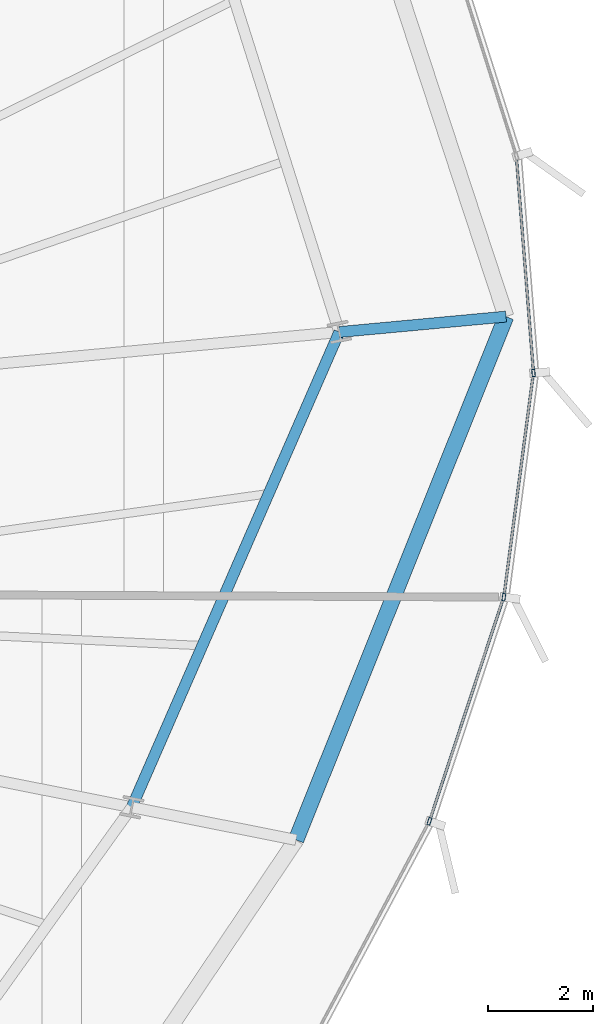
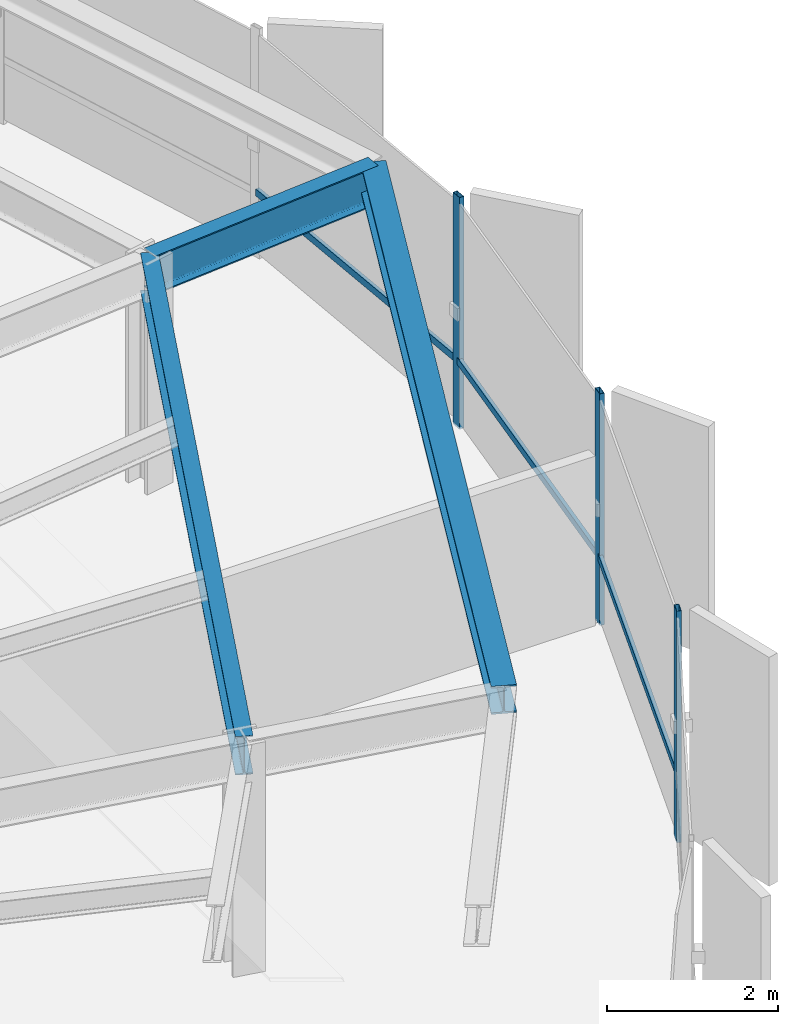
# One storey, part 18 of 37: 6 members, 3 beams, 1 element without a shape of its own.
"""IFC4 building model written with IfcOpenShell, lengths in metres."""

from ifc_helpers import new_model, si_unit, direction, frame, origin, origin_2d, place, context, subcontext, project, spatial, hollow_rectangle, i_section, extrude, source, transform, mapped, material, layer, layer_set, material_profile, profile_set, type_object, element, aggregate, save


model = new_model("IFC4")

# Units and contexts
model_context = context("Model", 3, precision=1e-05, world=origin(), true_north=direction((0.0, 1.0)))
body_context = subcontext(model_context, "Body", "Model", "MODEL_VIEW")
ifc_project = project(units=[si_unit("LENGTHUNIT", "METRE"), si_unit("AREAUNIT", "SQUARE_METRE"), si_unit("VOLUMEUNIT", "CUBIC_METRE"), si_unit("PLANEANGLEUNIT", "RADIAN"), si_unit("MASSUNIT", "GRAM", prefix="KILO"), si_unit("THERMODYNAMICTEMPERATUREUNIT", "KELVIN")], contexts=[model_context])

# Site, building, storey
site_placement = place(None, origin())
site = spatial("IfcSite", under=ifc_project, at=site_placement, CompositionType="ELEMENT")
building_placement = place(site_placement, origin())
building = spatial("IfcBuilding", under=site, at=building_placement, Name="Kethvar Cultural Tower", CompositionType="ELEMENT")
storey_placement = place(building_placement, frame((0.0, 0.0, 132.35009765625)))
storey = spatial("IfcBuildingStorey", under=building, at=storey_placement, Name="L33", CompositionType="ELEMENT", Elevation=132.35009765625)

# Beams
ifc_material_1 = material(Name="Steel S355J2", Category="steel")
ifc_material_profile_1 = material_profile(ifc_material_1, i_section(OverallWidth=0.2099609375, OverallDepth=0.550048828125, WebThickness=0.010986328125, FlangeThickness=0.01708984375, FilletRadius=0.02392578125, at=origin_2d()), Name="Steel S355J2 — IPE550")
ifc_profile_set_1 = profile_set([ifc_material_profile_1], Name="Steel S355J2 — IPE550")
beam_type_1 = type_object("IfcBeamType", Name="BM-IPE550", PredefinedType="BEAM", material=ifc_profile_set_1)
shared_shape_1 = source(origin(), body_context, "Body", "SweptSolid", [
    extrude(i_section(OverallWidth=0.2099609375, OverallDepth=0.550048828125, WebThickness=0.010986328125, FlangeThickness=0.01708984375, FilletRadius=0.02392578125, at=origin_2d()), origin(), (0.0, 0.0, 1.0), 3.199951171875),
])
beam_1_placement = place(storey_placement, frame((71.6025390625, 32.7333984375, 3.02294921875), z_axis=(0.995729641608, 0.092317283453, 0.0), x_axis=(-0.092317283453, 0.995729641608, 0.0)))
element("IfcBeam", 1, at=beam_1_placement, inside=storey, type_object=beam_type_1, Name="L33 Perimeter Cantilever Beam RC-01", PredefinedType="BEAM", context=body_context, shape_type="MappedRepresentation", body=[
    mapped(shared_shape_1, transform((0.0, 0.0, 0.0), scale=1.0)),
])
shared_shape_2 = source(origin(), body_context, "Body", "SweptSolid", [
    extrude(i_section(OverallWidth=0.2099609375, OverallDepth=0.550048828125, WebThickness=0.010986328125, FlangeThickness=0.01708984375, FilletRadius=0.02392578125, at=origin_2d()), origin(), (0.0, 0.0, 1.0), 9.90625),
])
beam_2_placement = place(storey_placement, frame((67.638671875, 23.65478515625, 3.02294921875), z_axis=(0.400138679026, 0.916454602011, 0.0), x_axis=(-0.916454602011, 0.400138679026, 0.0)))
element("IfcBeam", 2, at=beam_2_placement, inside=storey, type_object=beam_type_1, Name="L33 Column Ring Tie Beam CR-16", PredefinedType="BEAM", context=body_context, shape_type="MappedRepresentation", body=[
    mapped(shared_shape_2, transform((0.0, 0.0, 0.0), scale=1.0)),
])
ifc_material_profile_2 = material_profile(ifc_material_1, i_section(OverallWidth=0.300048828125, OverallDepth=0.39990234375, WebThickness=0.013427734375, FlangeThickness=0.02392578125, FilletRadius=0.027099609375, at=origin_2d()), Name="Steel S355J2 — HEB400")
ifc_profile_set_2 = profile_set([ifc_material_profile_2], Name="Steel S355J2 — HEB400")
beam_type_2 = type_object("IfcBeamType", Name="BM-SP400", PredefinedType="SPANDREL", material=ifc_profile_set_2)
shared_shape_3 = source(origin(), body_context, "Body", "SweptSolid", [
    extrude(i_section(OverallWidth=0.300048828125, OverallDepth=0.39990234375, WebThickness=0.013427734375, FlangeThickness=0.02392578125, FilletRadius=0.027099609375, at=origin_2d()), origin(), (0.0, 0.0, 1.0), 10.773193359375),
])
beam_3_placement = place(storey_placement, frame((70.777099609375, 23.030517578125, 3.097900390625), z_axis=(0.372382905959, 0.928079183771, 0.0), x_axis=(-0.928079183771, 0.372382905959, 0.0)))
element("IfcBeam", 3, at=beam_3_placement, inside=storey, type_object=beam_type_2, Name="L33 Perimeter Spandrel Beam SP-16", PredefinedType="SPANDREL", context=body_context, shape_type="MappedRepresentation", body=[
    mapped(shared_shape_3, transform((0.0, 0.0, 0.0), scale=1.0)),
])

# Curtain wall, members
ifc_material_2 = material(Name="Aluminium 6063-T6", Category="aluminium")
ifc_layer = layer(ifc_material_2, 0.179931640625, Name="Aluminium 6063-T6", Category="aluminium")
ifc_layer_set = layer_set([ifc_layer], Name="Aluminium 6063-T6 (180 mm)")
curtain_wall_type = type_object("IfcCurtainWallType", Name="CW-SYS-04-Z34", PredefinedType="NOTDEFINED", material=ifc_layer_set)
curtain_wall_placement = place(storey_placement, origin())
curtain_wall = element("IfcCurtainWall", 4, at=curtain_wall_placement, inside=storey, type_object=curtain_wall_type, Name="L33 Curtain Wall Run 06", PredefinedType="NOTDEFINED")
ifc_material_profile_3 = material_profile(ifc_material_2, hollow_rectangle(XDim=0.06005859375, YDim=0.139892578125, WallThickness=0.0048828125, at=origin_2d()), Name="Aluminium 6063-T6 — RHS140x60x5")
ifc_profile_set_3 = profile_set([ifc_material_profile_3], Name="Aluminium 6063-T6 — RHS140x60x5")
member_type_1 = type_object("IfcMemberType", Name="CW-SYS-04-Z34-MUL", PredefinedType="MULLION", material=ifc_profile_set_3)
shared_shape_4 = source(origin(), body_context, "Body", "SweptSolid", [
    extrude(hollow_rectangle(XDim=0.06005859375, YDim=0.139892578125, WallThickness=0.0048828125, at=origin_2d()), origin(), (0.0, 0.0, 1.0), 3.2998046875),
])
member_1_placement = place(storey_placement, frame((73.326416015625, 23.386962890625, 0.0), z_axis=(0.0, 0.0, 1.0), x_axis=(-0.949271918616, 0.314456395272, 0.0)))
member_1 = element("IfcMember", 5, at=member_1_placement, type_object=member_type_1, Name="CW-L33-R06 Mullion 3", PredefinedType="MULLION", context=body_context, shape_type="MappedRepresentation", body=[
    mapped(shared_shape_4, transform((0.0, 0.0, 0.0), scale=1.0)),
])
member_2_placement = place(storey_placement, frame((74.7470703125, 27.669189453125, 0.0), z_axis=(0.0, 0.0, 1.0), x_axis=(-0.991424346136, 0.130681926404, 0.0)))
member_2 = element("IfcMember", 6, at=member_2_placement, type_object=member_type_1, Name="CW-L33-R06 Mullion 4", PredefinedType="MULLION", context=body_context, shape_type="MappedRepresentation", body=[
    mapped(shared_shape_4, transform((0.0, 0.0, 0.0), scale=1.0)),
])
member_3_placement = place(storey_placement, frame((75.313720703125, 31.95068359375, 0.0), z_axis=(0.0, 0.0, 1.0), x_axis=(-0.996869219799, -0.079068063196, 0.0)))
member_3 = element("IfcMember", 7, at=member_3_placement, type_object=member_type_1, Name="CW-L33-R06 Mullion 5", PredefinedType="MULLION", context=body_context, shape_type="MappedRepresentation", body=[
    mapped(shared_shape_4, transform((0.0, 0.0, 0.0), scale=1.0)),
])
ifc_material_profile_4 = material_profile(ifc_material_2, hollow_rectangle(XDim=0.050048828125, YDim=0.10009765625, WallThickness=0.00390625, at=origin_2d()), Name="Aluminium 6063-T6 — RHS100x50x4")
ifc_profile_set_4 = profile_set([ifc_material_profile_4], Name="Aluminium 6063-T6 — RHS100x50x4")
member_type_2 = type_object("IfcMemberType", Name="CW-SYS-04-Z34-TRN", PredefinedType="USERDEFINED", material=ifc_profile_set_4)
shared_shape_5 = source(origin(), body_context, "Body", "SweptSolid", [
    extrude(hollow_rectangle(XDim=0.050048828125, YDim=0.10009765625, WallThickness=0.00390625, at=origin_2d()), origin(), (0.0, 0.0, 1.0), 4.25537109375),
])
member_4_placement = place(storey_placement, frame((74.752685546875, 27.712158203125, 0.949951171875), z_axis=(0.130697908637, 0.99142223935, 0.0), x_axis=(-0.99142223935, 0.130697908637, 0.0)))
member_4 = element("IfcMember", 8, at=member_4_placement, type_object=member_type_2, Name="CW-L33-R06 Transom 4", ObjectType="TRANSOM", PredefinedType="USERDEFINED", context=body_context, shape_type="MappedRepresentation", body=[
    mapped(shared_shape_5, transform((0.0, 0.0, 0.0), scale=1.0)),
])
shared_shape_6 = source(origin(), body_context, "Body", "SweptSolid", [
    extrude(hollow_rectangle(XDim=0.050048828125, YDim=0.10009765625, WallThickness=0.00390625, at=origin_2d()), origin(), (0.0, 0.0, 1.0), 4.446044921875),
])
member_5_placement = place(storey_placement, frame((73.340087890625, 23.427978515625, 0.949951171875), z_axis=(0.314431546119, 0.949280149801, 0.0), x_axis=(-0.949280149801, 0.314431546119, 0.0)))
member_5 = element("IfcMember", 9, at=member_5_placement, type_object=member_type_2, Name="CW-L33-R06 Transom 3", ObjectType="TRANSOM", PredefinedType="USERDEFINED", context=body_context, shape_type="MappedRepresentation", body=[
    mapped(shared_shape_6, transform((0.0, 0.0, 0.0), scale=1.0)),
])
shared_shape_7 = source(origin(), body_context, "Body", "SweptSolid", [
    extrude(hollow_rectangle(XDim=0.050048828125, YDim=0.10009765625, WallThickness=0.00390625, at=origin_2d()), origin(), (0.0, 0.0, 1.0), 4.091796875),
])
member_6_placement = place(storey_placement, frame((75.310302734375, 31.993896484375, 0.949951171875), z_axis=(-0.079055127816, 0.996870245702, 0.0), x_axis=(-0.996870245702, -0.079055127816, 0.0)))
member_6 = element("IfcMember", 10, at=member_6_placement, type_object=member_type_2, Name="CW-L33-R06 Transom 5", ObjectType="TRANSOM", PredefinedType="USERDEFINED", context=body_context, shape_type="MappedRepresentation", body=[
    mapped(shared_shape_7, transform((0.0, 0.0, 0.0), scale=1.0)),
])
aggregate(curtain_wall, [member_1, member_2, member_3, member_5, member_4, member_6])

save(model, "model.ifc")
